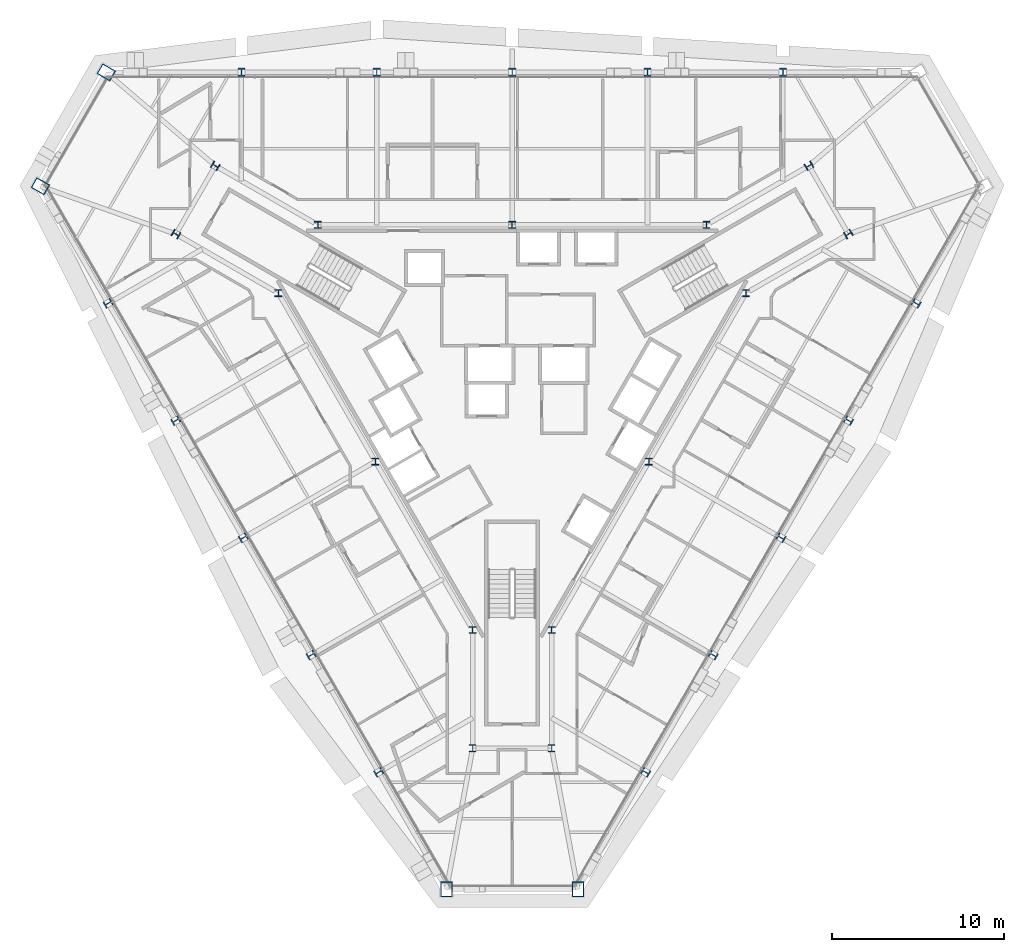
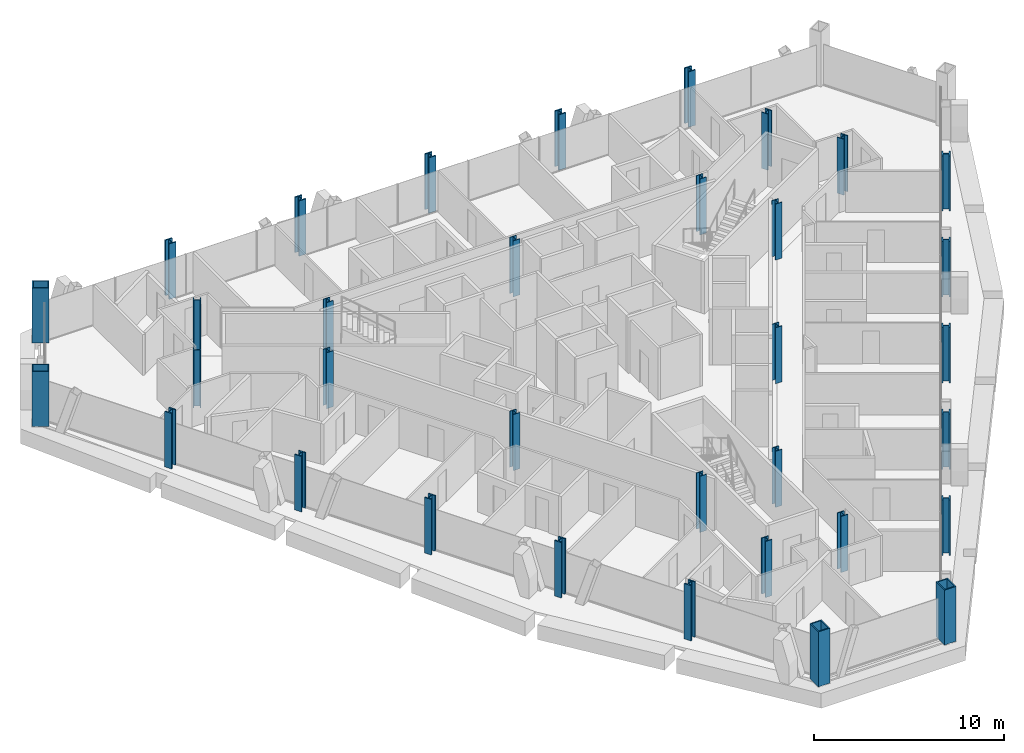
# One storey, part 1 of 17: 34 columns.
"""IFC4 building model written with IfcOpenShell, lengths in metres."""

from ifc_helpers import new_model, si_unit, direction, frame, origin, origin_2d, place, context, subcontext, project, spatial, hollow_rectangle, i_section, extrude, material, material_profile, profile_set, type_object, element, save


model = new_model("IFC4")

# Units and contexts
model_context = context("Model", 3, precision=1e-05, world=origin(), true_north=direction((0.0, 1.0)))
body_context = subcontext(model_context, "Body", "Model", "MODEL_VIEW")
ifc_project = project(units=[si_unit("LENGTHUNIT", "METRE"), si_unit("AREAUNIT", "SQUARE_METRE"), si_unit("VOLUMEUNIT", "CUBIC_METRE"), si_unit("PLANEANGLEUNIT", "RADIAN"), si_unit("MASSUNIT", "GRAM", prefix="KILO")], contexts=[model_context])

# Site, building, storey
site_placement = place(None, origin())
site = spatial("IfcSite", under=ifc_project, at=site_placement, CompositionType="ELEMENT")
building_placement = place(site_placement, origin())
building = spatial("IfcBuilding", under=site, at=building_placement, Name="Verrane Prism Tower", CompositionType="ELEMENT")
storey_placement = place(building_placement, frame((0.0, 0.0, 96.39990234375)))
storey = spatial("IfcBuildingStorey", under=building, at=storey_placement, Name="L22", CompositionType="ELEMENT", Elevation=96.39990234375)

# Columns
ifc_material_1 = material(Name="Steel A992", Category="steel")
ifc_material_profile_1 = material_profile(ifc_material_1, i_section(OverallWidth=0.411376953125, OverallDepth=0.434326171875, WebThickness=0.035888671875, FlangeThickness=0.057373046875, FilletRadius=0.01513671875, at=origin_2d()), Name="W14x311")
ifc_profile_set_1 = profile_set([ifc_material_profile_1], Name="Steel A992")
column_type_1 = type_object("IfcColumnType", Name="Core corner column W14x311", PredefinedType="COLUMN", material=ifc_profile_set_1)
for number, where, z_axis, x_axis, name in (
    (1, (19.60009765625, 8.659912109375, 0.0), (0.0, 0.0, 1.0), (0.5, -0.866025403784, 0.0), "Core corner column CK-NEm L22"),
    (2, (17.300048828125, 12.639892578125, 0.0), (0.0, 0.0, 1.0), (0.5, -0.866025403784, 0.0), "Core corner column CK-NEp L22"),
    (3, (-17.300048828125, 12.639892578125, 0.0), (0.0, 0.0, 1.0), (0.5, 0.866025403784, 0.0), "Core corner column CK-NWm L22"),
    (4, (-19.60009765625, 8.659912109375, 0.0), (0.0, 0.0, 1.0), (0.5, 0.866025403784, 0.0), "Core corner column CK-NWp L22"),
    (5, (-2.300048828125, -21.300048828125, 0.0), (0.0, 0.0, 1.0), (-1.0, 0.0, 0.0), "Core corner column CK-Sm L22"),
    (6, (2.300048828125, -21.300048828125, 0.0), (0.0, 0.0, 1.0), (-1.0, 0.0, 0.0), "Core corner column CK-Sp L22"),
):
    element("IfcColumn", number, at=place(storey_placement, frame(where, z_axis=z_axis, x_axis=x_axis)), inside=storey, type_object=column_type_1, Name=name, PredefinedType="COLUMN", context=body_context, shape_type="SweptSolid", body=[
        extrude(i_section(OverallWidth=0.411376953125, OverallDepth=0.434326171875, WebThickness=0.035888671875, FlangeThickness=0.057373046875, FilletRadius=0.01513671875, at=origin_2d()), origin(), (0.0, 0.0, 1.0), 3.60009765625),
    ])
ifc_material_2 = material(Name="Steel A992", Category="steel")
ifc_material_profile_2 = material_profile(ifc_material_2, i_section(OverallWidth=0.4013671875, OverallDepth=0.398681640625, WebThickness=0.02490234375, FlangeThickness=0.03955078125, FilletRadius=0.01513671875, at=origin_2d()), Name="W14x211")
ifc_profile_set_2 = profile_set([ifc_material_profile_2], Name="Steel A992")
column_type_2 = type_object("IfcColumnType", Name="Core side column W14x211", PredefinedType="COLUMN", material=ifc_profile_set_2)
for number, where, z_axis, x_axis, name in (
    (7, (13.6298828125, 5.219970703125, 0.0), (0.0, 0.0, 1.0), (1.0, 0.0, 0.0), "Core side column CC-NEm L22"),
    (8, (11.330078125, 9.199951171875, 0.0), (0.0, 0.0, 1.0), (1.0, 0.0, 0.0), "Core side column CC-NEp L22"),
    (9, (0.0, 9.199951171875, 0.0), (0.0, 0.0, 1.0), (1.0, 0.0, 0.0), "Core side column CC-N0 L22"),
    (10, (-11.330078125, 9.199951171875, 0.0), (0.0, 0.0, 1.0), (1.0, 0.0, 0.0), "Core side column CC-NWm L22"),
    (11, (-13.6298828125, 5.219970703125, 0.0), (0.0, 0.0, 1.0), (1.0, 0.0, 0.0), "Core side column CC-NWp L22"),
    (12, (-7.969970703125, -4.60009765625, 0.0), (0.0, 0.0, 1.0), (1.0, 0.0, 0.0), "Core side column CC-SW0 L22"),
    (13, (-2.300048828125, -14.419921875, 0.0), (0.0, 0.0, 1.0), (1.0, 0.0, 0.0), "Core side column CC-Sm L22"),
    (14, (2.300048828125, -14.419921875, 0.0), (0.0, 0.0, 1.0), (1.0, 0.0, 0.0), "Core side column CC-Sp L22"),
    (15, (7.969970703125, -4.60009765625, 0.0), (0.0, 0.0, 1.0), (1.0, 0.0, 0.0), "Core side column CC-SE0 L22"),
):
    element("IfcColumn", number, at=place(storey_placement, frame(where, z_axis=z_axis, x_axis=x_axis)), inside=storey, type_object=column_type_2, Name=name, PredefinedType="COLUMN", context=body_context, shape_type="SweptSolid", body=[
        extrude(i_section(OverallWidth=0.4013671875, OverallDepth=0.398681640625, WebThickness=0.02490234375, FlangeThickness=0.03955078125, FilletRadius=0.01513671875, at=origin_2d()), origin(), (0.0, 0.0, 1.0), 3.60009765625),
    ])
ifc_material_3 = material(Name="Steel A572 Grade 50", Category="steel")
ifc_material_profile_3 = material_profile(ifc_material_3, hollow_rectangle(XDim=0.699951171875, YDim=0.89990234375, WallThickness=0.06494140625, at=origin_2d()), Name="BOX 900x700x65")
ifc_profile_set_3 = profile_set([ifc_material_profile_3], Name="Steel A572 Grade 50")
column_type_3 = type_object("IfcColumnType", Name="Megacolumn BOX 900x700x65", PredefinedType="COLUMN", material=ifc_profile_set_3)
for number, where, z_axis, x_axis, name in (
    (16, (-23.659912109375, 18.090087890625, 0.0), (0.0, 0.0, 1.0), (0.5, 0.866025403784, 0.0), "Megacolumn MC-NW.a L22"),
    (17, (-27.5, 11.449951171875, 0.0), (0.0, 0.0, 1.0), (0.5, 0.866025403784, 0.0), "Megacolumn MC-NW.b L22"),
    (18, (-3.830078125, -29.5400390625, 0.0), (0.0, 0.0, 1.0), (-1.0, 0.0, 0.0), "Megacolumn MC-S.a L22"),
    (19, (3.830078125, -29.5400390625, 0.0), (0.0, 0.0, 1.0), (-1.0, 0.0, 0.0), "Megacolumn MC-S.b L22"),
):
    element("IfcColumn", number, at=place(storey_placement, frame(where, z_axis=z_axis, x_axis=x_axis)), inside=storey, type_object=column_type_3, Name=name, PredefinedType="COLUMN", context=body_context, shape_type="SweptSolid", body=[
        extrude(hollow_rectangle(XDim=0.699951171875, YDim=0.89990234375, WallThickness=0.06494140625, at=origin_2d()), origin(), (0.0, 0.0, 1.0), 3.525146484375),
    ])
ifc_material_4 = material(Name="Steel A992", Category="steel")
ifc_material_profile_4 = material_profile(ifc_material_4, i_section(OverallWidth=0.424072265625, OverallDepth=0.47509765625, WebThickness=0.0478515625, FlangeThickness=0.0771484375, FilletRadius=0.014892578125, at=origin_2d()), Name="W14x426")
ifc_profile_set_4 = profile_set([ifc_material_profile_4], Name="Steel A992")
column_type_4 = type_object("IfcColumnType", Name="Perimeter column W14x426", PredefinedType="COLUMN", material=ifc_profile_set_4)
column_1_placement = place(storey_placement, frame((15.780029296875, 18.090087890625, 0.0), z_axis=(0.0, 0.0, 1.0), x_axis=(1.0, 0.0, 0.0)))
element("IfcColumn", 20, at=column_1_placement, inside=storey, type_object=column_type_4, Name="Perimeter column PC-N1 L22", PredefinedType="COLUMN", context=body_context, shape_type="SweptSolid", body=[
    extrude(i_section(OverallWidth=0.424072265625, OverallDepth=0.47509765625, WebThickness=0.0478515625, FlangeThickness=0.0771484375, FilletRadius=0.014892578125, at=origin_2d()), origin(), (0.0, 0.0, 1.0), 3.55517578125),
])
column_2_placement = place(storey_placement, frame((7.889892578125, 18.090087890625, 0.0), z_axis=(0.0, 0.0, 1.0), x_axis=(1.0, 0.0, 0.0)))
element("IfcColumn", 21, at=column_2_placement, inside=storey, type_object=column_type_4, Name="Perimeter column PC-N2 L22", PredefinedType="COLUMN", context=body_context, shape_type="SweptSolid", body=[
    extrude(i_section(OverallWidth=0.424072265625, OverallDepth=0.47509765625, WebThickness=0.0478515625, FlangeThickness=0.0771484375, FilletRadius=0.014892578125, at=origin_2d()), origin(), (0.0, 0.0, 1.0), 3.56005859375),
])
column_3_placement = place(storey_placement, frame((0.0, 18.090087890625, 0.0), z_axis=(0.0, 0.0, 1.0), x_axis=(1.0, 0.0, 0.0)))
element("IfcColumn", 22, at=column_3_placement, inside=storey, type_object=column_type_4, Name="Perimeter column PC-N3 L22", PredefinedType="COLUMN", context=body_context, shape_type="SweptSolid", body=[
    extrude(i_section(OverallWidth=0.424072265625, OverallDepth=0.47509765625, WebThickness=0.0478515625, FlangeThickness=0.0771484375, FilletRadius=0.014892578125, at=origin_2d()), origin(), (0.0, 0.0, 1.0), 3.565185546875),
])
column_4_placement = place(storey_placement, frame((-7.889892578125, 18.090087890625, 0.0), z_axis=(0.0, 0.0, 1.0), x_axis=(1.0, 0.0, 0.0)))
element("IfcColumn", 23, at=column_4_placement, inside=storey, type_object=column_type_4, Name="Perimeter column PC-N4 L22", PredefinedType="COLUMN", context=body_context, shape_type="SweptSolid", body=[
    extrude(i_section(OverallWidth=0.424072265625, OverallDepth=0.47509765625, WebThickness=0.0478515625, FlangeThickness=0.0771484375, FilletRadius=0.014892578125, at=origin_2d()), origin(), (0.0, 0.0, 1.0), 3.56005859375),
])
for number, where, z_axis, x_axis, name in (
    (24, (-15.780029296875, 18.090087890625, 0.0), (0.0, 0.0, 1.0), (1.0, 0.0, 0.0), "Perimeter column PC-N5 L22"),
    (25, (-23.550048828125, 4.6201171875, 0.0), (0.0, 0.0, 1.0), (-0.5, 0.866025403784, 0.0), "Perimeter column PC-SW1 L22"),
):
    element("IfcColumn", number, at=place(storey_placement, frame(where, z_axis=z_axis, x_axis=x_axis)), inside=storey, type_object=column_type_4, Name=name, PredefinedType="COLUMN", context=body_context, shape_type="SweptSolid", body=[
        extrude(i_section(OverallWidth=0.424072265625, OverallDepth=0.47509765625, WebThickness=0.0478515625, FlangeThickness=0.0771484375, FilletRadius=0.014892578125, at=origin_2d()), origin(), (0.0, 0.0, 1.0), 3.55517578125),
    ])
column_5_placement = place(storey_placement, frame((-19.610107421875, -2.2099609375, 0.0), z_axis=(0.0, 0.0, 1.0), x_axis=(-0.5, 0.866025403784, 0.0)))
element("IfcColumn", 26, at=column_5_placement, inside=storey, type_object=column_type_4, Name="Perimeter column PC-SW2 L22", PredefinedType="COLUMN", context=body_context, shape_type="SweptSolid", body=[
    extrude(i_section(OverallWidth=0.424072265625, OverallDepth=0.47509765625, WebThickness=0.0478515625, FlangeThickness=0.0771484375, FilletRadius=0.014892578125, at=origin_2d()), origin(), (0.0, 0.0, 1.0), 3.56005859375),
])
column_6_placement = place(storey_placement, frame((-15.669921875, -9.0400390625, 0.0), z_axis=(0.0, 0.0, 1.0), x_axis=(-0.5, 0.866025403784, 0.0)))
element("IfcColumn", 27, at=column_6_placement, inside=storey, type_object=column_type_4, Name="Perimeter column PC-SW3 L22", PredefinedType="COLUMN", context=body_context, shape_type="SweptSolid", body=[
    extrude(i_section(OverallWidth=0.424072265625, OverallDepth=0.47509765625, WebThickness=0.0478515625, FlangeThickness=0.0771484375, FilletRadius=0.014892578125, at=origin_2d()), origin(), (0.0, 0.0, 1.0), 3.565185546875),
])
column_7_placement = place(storey_placement, frame((-11.719970703125, -15.8798828125, 0.0), z_axis=(0.0, 0.0, 1.0), x_axis=(-0.5, 0.866025403784, 0.0)))
element("IfcColumn", 28, at=column_7_placement, inside=storey, type_object=column_type_4, Name="Perimeter column PC-SW4 L22", PredefinedType="COLUMN", context=body_context, shape_type="SweptSolid", body=[
    extrude(i_section(OverallWidth=0.424072265625, OverallDepth=0.47509765625, WebThickness=0.0478515625, FlangeThickness=0.0771484375, FilletRadius=0.014892578125, at=origin_2d()), origin(), (0.0, 0.0, 1.0), 3.56005859375),
])
for number, where, z_axis, x_axis, name in (
    (29, (-7.780029296875, -22.7099609375, 0.0), (0.0, 0.0, 1.0), (-0.5, 0.866025403784, 0.0), "Perimeter column PC-SW5 L22"),
    (30, (7.780029296875, -22.7099609375, 0.0), (0.0, 0.0, 1.0), (-0.5, -0.866025403784, 0.0), "Perimeter column PC-SE1 L22"),
):
    element("IfcColumn", number, at=place(storey_placement, frame(where, z_axis=z_axis, x_axis=x_axis)), inside=storey, type_object=column_type_4, Name=name, PredefinedType="COLUMN", context=body_context, shape_type="SweptSolid", body=[
        extrude(i_section(OverallWidth=0.424072265625, OverallDepth=0.47509765625, WebThickness=0.0478515625, FlangeThickness=0.0771484375, FilletRadius=0.014892578125, at=origin_2d()), origin(), (0.0, 0.0, 1.0), 3.55517578125),
    ])
column_8_placement = place(storey_placement, frame((11.719970703125, -15.8798828125, 0.0), z_axis=(0.0, 0.0, 1.0), x_axis=(-0.5, -0.866025403784, 0.0)))
element("IfcColumn", 31, at=column_8_placement, inside=storey, type_object=column_type_4, Name="Perimeter column PC-SE2 L22", PredefinedType="COLUMN", context=body_context, shape_type="SweptSolid", body=[
    extrude(i_section(OverallWidth=0.424072265625, OverallDepth=0.47509765625, WebThickness=0.0478515625, FlangeThickness=0.0771484375, FilletRadius=0.014892578125, at=origin_2d()), origin(), (0.0, 0.0, 1.0), 3.56005859375),
])
column_9_placement = place(storey_placement, frame((15.669921875, -9.0400390625, 0.0), z_axis=(0.0, 0.0, 1.0), x_axis=(-0.5, -0.866025403784, 0.0)))
element("IfcColumn", 32, at=column_9_placement, inside=storey, type_object=column_type_4, Name="Perimeter column PC-SE3 L22", PredefinedType="COLUMN", context=body_context, shape_type="SweptSolid", body=[
    extrude(i_section(OverallWidth=0.424072265625, OverallDepth=0.47509765625, WebThickness=0.0478515625, FlangeThickness=0.0771484375, FilletRadius=0.014892578125, at=origin_2d()), origin(), (0.0, 0.0, 1.0), 3.565185546875),
])
column_10_placement = place(storey_placement, frame((19.610107421875, -2.2099609375, 0.0), z_axis=(0.0, 0.0, 1.0), x_axis=(-0.5, -0.866025403784, 0.0)))
element("IfcColumn", 33, at=column_10_placement, inside=storey, type_object=column_type_4, Name="Perimeter column PC-SE4 L22", PredefinedType="COLUMN", context=body_context, shape_type="SweptSolid", body=[
    extrude(i_section(OverallWidth=0.424072265625, OverallDepth=0.47509765625, WebThickness=0.0478515625, FlangeThickness=0.0771484375, FilletRadius=0.014892578125, at=origin_2d()), origin(), (0.0, 0.0, 1.0), 3.56005859375),
])
column_11_placement = place(storey_placement, frame((23.550048828125, 4.6201171875, 0.0), z_axis=(0.0, 0.0, 1.0), x_axis=(-0.5, -0.866025403784, 0.0)))
element("IfcColumn", 34, at=column_11_placement, inside=storey, type_object=column_type_4, Name="Perimeter column PC-SE5 L22", PredefinedType="COLUMN", context=body_context, shape_type="SweptSolid", body=[
    extrude(i_section(OverallWidth=0.424072265625, OverallDepth=0.47509765625, WebThickness=0.0478515625, FlangeThickness=0.0771484375, FilletRadius=0.014892578125, at=origin_2d()), origin(), (0.0, 0.0, 1.0), 3.55517578125),
])

save(model, "model.ifc")
